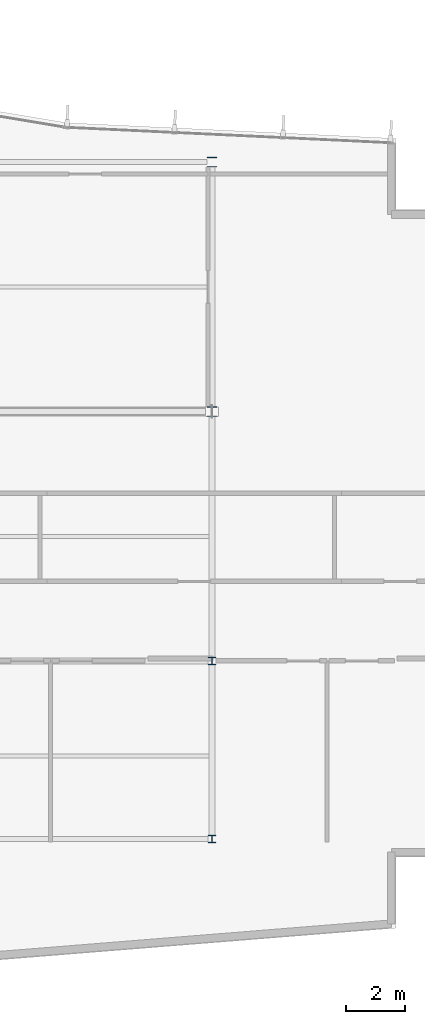
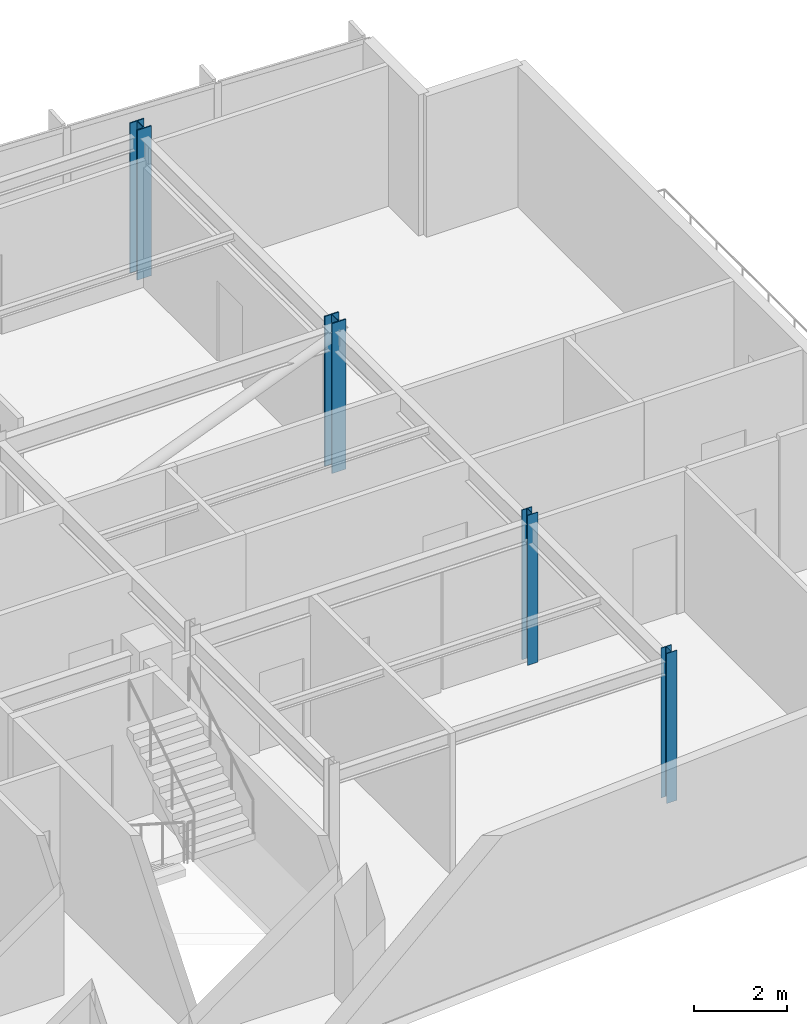
# One storey, part 3 of 17: 4 columns.
"""IFC4 building model written with IfcOpenShell, lengths in metres."""

from ifc_helpers import new_model, si_unit, direction, frame, origin, origin_2d, place, context, subcontext, project, spatial, i_section, extrude, material, material_profile, profile_set, type_object, element, save


model = new_model("IFC4")

# Units and contexts
model_context = context("Model", 3, precision=1e-05, world=origin(), true_north=direction((0.0, 1.0)))
body_context = subcontext(model_context, "Body", "Model", "MODEL_VIEW")
ifc_project = project(units=[si_unit("LENGTHUNIT", "METRE"), si_unit("AREAUNIT", "SQUARE_METRE"), si_unit("VOLUMEUNIT", "CUBIC_METRE"), si_unit("PLANEANGLEUNIT", "RADIAN"), si_unit("MASSUNIT", "GRAM", prefix="KILO")], contexts=[model_context])

# Site, building, storey
site_placement = place(None, origin())
site = spatial("IfcSite", under=ifc_project, at=site_placement, CompositionType="ELEMENT")
building_placement = place(site_placement, origin())
building = spatial("IfcBuilding", under=site, at=building_placement, Name="Varnakote Quay Hospital", CompositionType="ELEMENT")
storey_placement = place(building_placement, frame((0.0, 0.0, 256.550048828125)))
storey = spatial("IfcBuildingStorey", under=building, at=storey_placement, Name="L63", CompositionType="ELEMENT", Elevation=256.550048828125)

# Columns
ifc_material_1 = material(Name="Structural steel AS/NZS 3679.1 Grade 350 L0 (fy 340 MPa)", Category="steel")
ifc_material_profile_1 = material_profile(ifc_material_1, i_section(OverallWidth=0.25390625, OverallDepth=0.25390625, WebThickness=0.008544921875, FlangeThickness=0.01416015625, FilletRadius=0.0126953125, at=origin_2d()), Name="250UC72.9")
ifc_profile_set_1 = profile_set([ifc_material_profile_1], Name="Structural steel AS/NZS 3679.1 Grade 350 L0 (fy 340 MPa)")
column_type_1 = type_object("IfcColumnType", Name="COL-STL-250UC72-9", PredefinedType="COLUMN", material=ifc_profile_set_1)
for number, where, z_axis, x_axis, name in (
    (1, (33.60009765625, 6.0, 0.0), (0.0, 0.0, 1.0), (1.0, 0.0, 0.0), "L63 Structural Column C-34-6"),
    (2, (33.60009765625, 12.0, 0.0), (0.0, 0.0, 1.0), (1.0, 0.0, 0.0), "L63 Structural Column C-34-12"),
):
    element("IfcColumn", number, at=place(storey_placement, frame(where, z_axis=z_axis, x_axis=x_axis)), inside=storey, type_object=column_type_1, Name=name, PredefinedType="COLUMN", context=body_context, shape_type="SweptSolid", body=[
        extrude(i_section(OverallWidth=0.25390625, OverallDepth=0.25390625, WebThickness=0.008544921875, FlangeThickness=0.01416015625, FilletRadius=0.0126953125, at=origin_2d()), origin(), (0.0, 0.0, 1.0), 3.949951171875),
    ])
ifc_material_2 = material(Name="Structural steel AS/NZS 3678 Grade 350 (fy 340 MPa)", Category="steel")
ifc_material_profile_2 = material_profile(ifc_material_2, i_section(OverallWidth=0.35009765625, OverallDepth=0.340087890625, WebThickness=0.01611328125, FlangeThickness=0.028076171875, at=origin_2d()), Name="350WC197")
ifc_profile_set_2 = profile_set([ifc_material_profile_2], Name="Structural steel AS/NZS 3678 Grade 350 (fy 340 MPa)")
column_type_2 = type_object("IfcColumnType", Name="COL-STL-350WC197", PredefinedType="COLUMN", material=ifc_profile_set_2)
for number, where, z_axis, x_axis, name in (
    (3, (33.60009765625, 20.39990234375, 0.0), (0.0, 0.0, 1.0), (1.0, 0.0, 0.0), "L63 Structural Column C-34-20"),
    (4, (33.60009765625, 28.800048828125, 0.0), (0.0, 0.0, 1.0), (1.0, 0.0, 0.0), "L63 Structural Column C-34-29"),
):
    element("IfcColumn", number, at=place(storey_placement, frame(where, z_axis=z_axis, x_axis=x_axis)), inside=storey, type_object=column_type_2, Name=name, PredefinedType="COLUMN", context=body_context, shape_type="SweptSolid", body=[
        extrude(i_section(OverallWidth=0.35009765625, OverallDepth=0.340087890625, WebThickness=0.01611328125, FlangeThickness=0.028076171875, at=origin_2d()), origin(), (0.0, 0.0, 1.0), 3.949951171875),
    ])

save(model, "model.ifc")
